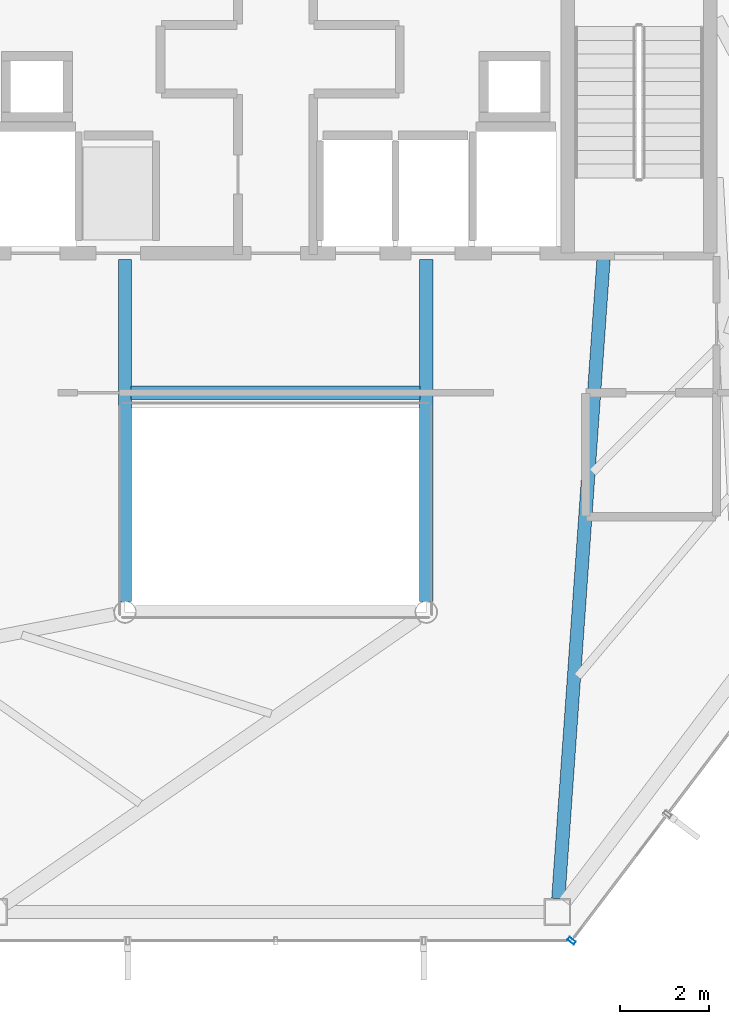
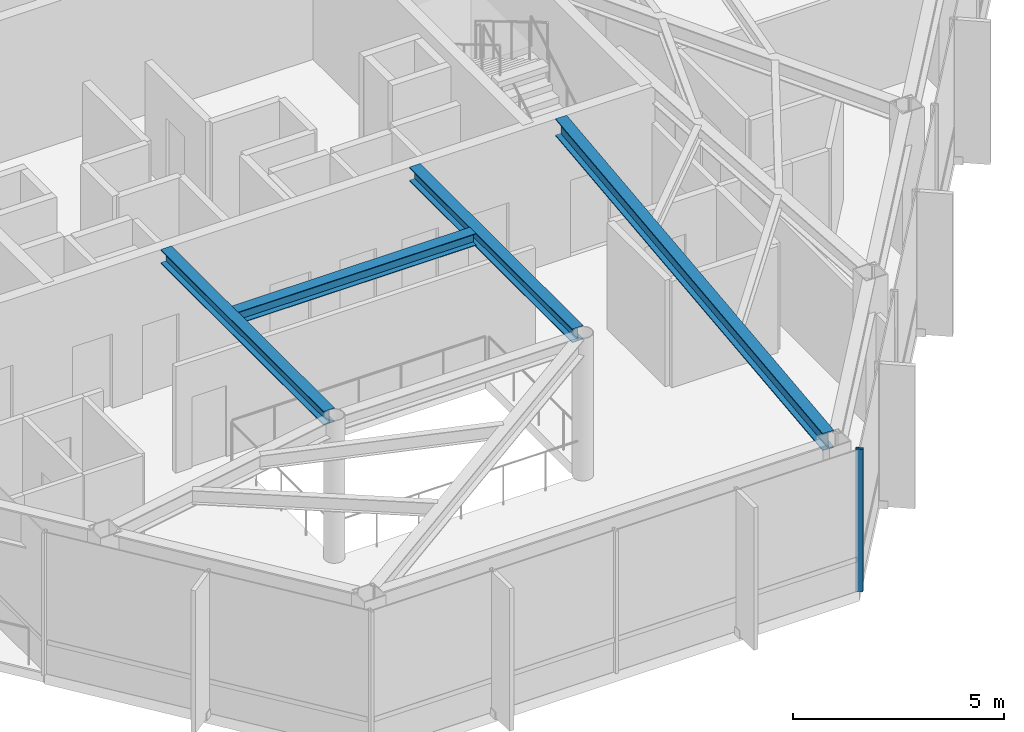
# One storey, part 6 of 23: 4 beams, 1 member, 1 element without a shape of its own.
"""IFC4 building model written with IfcOpenShell, lengths in metres."""

from ifc_helpers import new_model, si_unit, direction, frame, origin, origin_2d, place, context, subcontext, project, spatial, hollow_rectangle, i_section, extrude, material, layer, layer_set, material_profile, profile_set, type_object, element, aggregate, save


model = new_model("IFC4")

# Units and contexts
model_context = context("Model", 3, precision=1e-05, world=origin(), true_north=direction((0.0, 1.0)))
body_context = subcontext(model_context, "Body", "Model", "MODEL_VIEW")
ifc_project = project(units=[si_unit("LENGTHUNIT", "METRE"), si_unit("AREAUNIT", "SQUARE_METRE"), si_unit("VOLUMEUNIT", "CUBIC_METRE"), si_unit("PLANEANGLEUNIT", "RADIAN"), si_unit("MASSUNIT", "GRAM", prefix="KILO")], contexts=[model_context])

# Site, building, storey
site_placement = place(None, origin())
site = spatial("IfcSite", under=ifc_project, at=site_placement, CompositionType="ELEMENT")
building_placement = place(site_placement, origin())
building = spatial("IfcBuilding", under=site, at=building_placement, Name="Zarrinselat Tower", CompositionType="ELEMENT")
storey_placement = place(building_placement, frame((0.0, 0.0, 199.919921875)))
storey = spatial("IfcBuildingStorey", under=building, at=storey_placement, Name="L49", CompositionType="ELEMENT", Elevation=199.919921875)

# Beams
ifc_material_1 = material(Name="Steel S355J2", Category="steel")
ifc_material_profile_1 = material_profile(ifc_material_1, i_section(OverallWidth=0.300048828125, OverallDepth=0.35009765625, WebThickness=0.010009765625, FlangeThickness=0.017578125, at=origin_2d()), Name="HEA 360")
ifc_profile_set_1 = profile_set([ifc_material_profile_1], Name="Steel S355J2")
beam_type_1 = type_object("IfcBeamType", Name="BM-HEA360", PredefinedType="LINTEL", material=ifc_profile_set_1)
beam_1_placement = place(storey_placement, frame((35.139892578125, 30.14990234375, 3.945068359375), z_axis=(1.0, 0.0, 0.0), x_axis=(0.0, 1.0, 0.0)))
element("IfcBeam", 1, at=beam_1_placement, inside=storey, type_object=beam_type_1, Name="L49 Lift Lobby Ceiling Beam", PredefinedType="LINTEL", context=body_context, shape_type="SweptSolid", body=[
    extrude(i_section(OverallWidth=0.300048828125, OverallDepth=0.35009765625, WebThickness=0.010009765625, FlangeThickness=0.017578125, at=origin_2d()), origin(), (0.0, 0.0, 1.0), 6.52001953125),
])
ifc_material_2 = material(Name="Steel S355J2", Category="steel")
ifc_material_profile_2 = material_profile(ifc_material_2, i_section(OverallWidth=0.300048828125, OverallDepth=0.39990234375, WebThickness=0.013427734375, FlangeThickness=0.02392578125, at=origin_2d()), Name="HEB 400")
ifc_profile_set_2 = profile_set([ifc_material_profile_2], Name="Steel S355J2")
beam_type_2 = type_object("IfcBeamType", Name="BM-HEB400", PredefinedType="BEAM", material=ifc_profile_set_2)
for number, where, z_axis, x_axis, name in (
    (2, (35.0, 25.43994140625, 3.920166015625), (0.0, 1.0, 0.0), (-1.0, 0.0, 0.0), "L49 Atrium Edge Beam W"),
    (3, (41.800048828125, 25.43994140625, 3.920166015625), (0.0, 1.0, 0.0), (-1.0, 0.0, 0.0), "L49 Atrium Edge Beam E"),
):
    element("IfcBeam", number, at=place(storey_placement, frame(where, z_axis=z_axis, x_axis=x_axis)), inside=storey, type_object=beam_type_2, Name=name, PredefinedType="BEAM", context=body_context, shape_type="SweptSolid", body=[
        extrude(i_section(OverallWidth=0.300048828125, OverallDepth=0.39990234375, WebThickness=0.013427734375, FlangeThickness=0.02392578125, at=origin_2d()), origin(), (0.0, 0.0, 1.0), 7.719970703125),
    ])
ifc_material_3 = material(Name="Steel S355J2", Category="steel")
ifc_material_profile_3 = material_profile(ifc_material_3, i_section(OverallWidth=0.300048828125, OverallDepth=0.5, WebThickness=0.014404296875, FlangeThickness=0.028076171875, at=origin_2d()), Name="HEB 500")
ifc_profile_set_3 = profile_set([ifc_material_profile_3], Name="Steel S355J2")
beam_type_3 = type_object("IfcBeamType", Name="BM-HEB500", PredefinedType="BEAM", material=ifc_profile_set_3)
beam_2_placement = place(storey_placement, frame((44.77880859375, 18.73193359375, 3.8701171875), z_axis=(0.070605286616, 0.997504332573, 0.0), x_axis=(-0.997504332573, 0.070605286616, 0.0)))
element("IfcBeam", 4, at=beam_2_placement, inside=storey, type_object=beam_type_3, Name="L49 Radial Primary Girder RG11", PredefinedType="BEAM", context=body_context, shape_type="SweptSolid", body=[
    extrude(i_section(OverallWidth=0.300048828125, OverallDepth=0.5, WebThickness=0.014404296875, FlangeThickness=0.028076171875, at=origin_2d()), origin(), (0.0, 0.0, 1.0), 14.464111328125),
])

# Curtain wall, member
ifc_material_4 = material(Name="Extruded Aluminium Alloy EN AW-6063 T6", Category="aluminium")
ifc_layer = layer(ifc_material_4, 0.195068359375)
ifc_layer_set = layer_set([ifc_layer], Name="Extruded Aluminium Alloy EN AW-6063 T6")
curtain_wall_type = type_object("IfcCurtainWallType", Name="CWS-GDN", PredefinedType="NOTDEFINED", material=ifc_layer_set)
curtain_wall_placement = place(storey_placement, origin())
curtain_wall = element("IfcCurtainWall", 5, at=curtain_wall_placement, inside=storey, type_object=curtain_wall_type, Name="L49 Unitised Curtain Wall CW-L49-E04", PredefinedType="NOTDEFINED")
ifc_material_5 = material(Name="Extruded Aluminium Alloy EN AW-6063 T6", Category="aluminium")
ifc_material_profile_4 = material_profile(ifc_material_5, hollow_rectangle(XDim=0.080078125, YDim=0.179931640625, WallThickness=0.0048828125, at=origin_2d()), Name="RHS 180x80x5")
ifc_profile_set_4 = profile_set([ifc_material_profile_4], Name="Extruded Aluminium Alloy EN AW-6063 T6")
member_type = type_object("IfcMemberType", Name="MEM-CW-MUL", PredefinedType="MULLION", material=ifc_profile_set_4)
member_placement = place(storey_placement, frame((45.08056640625, 17.78076171875, 0.0), z_axis=(0.0, 0.0, 1.0), x_axis=(-0.603858158606, -0.79709179163, 0.0)))
member = element("IfcMember", 6, at=member_placement, type_object=member_type, Name="CW-L49-E04 Mullion 8", PredefinedType="MULLION", context=body_context, shape_type="SweptSolid", body=[
    extrude(hollow_rectangle(XDim=0.080078125, YDim=0.179931640625, WallThickness=0.0048828125, at=origin_2d()), origin(), (0.0, 0.0, 1.0), 4.1201171875),
])
aggregate(curtain_wall, [member])

save(model, "model.ifc")
